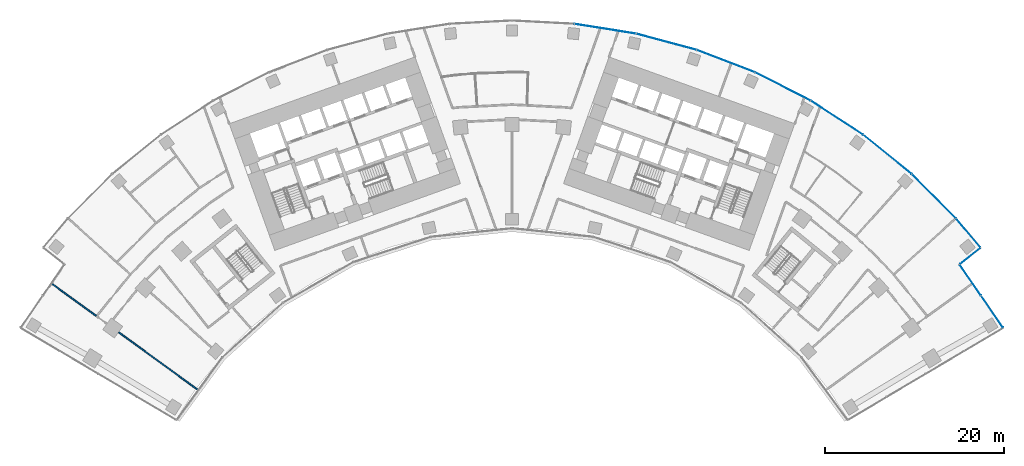
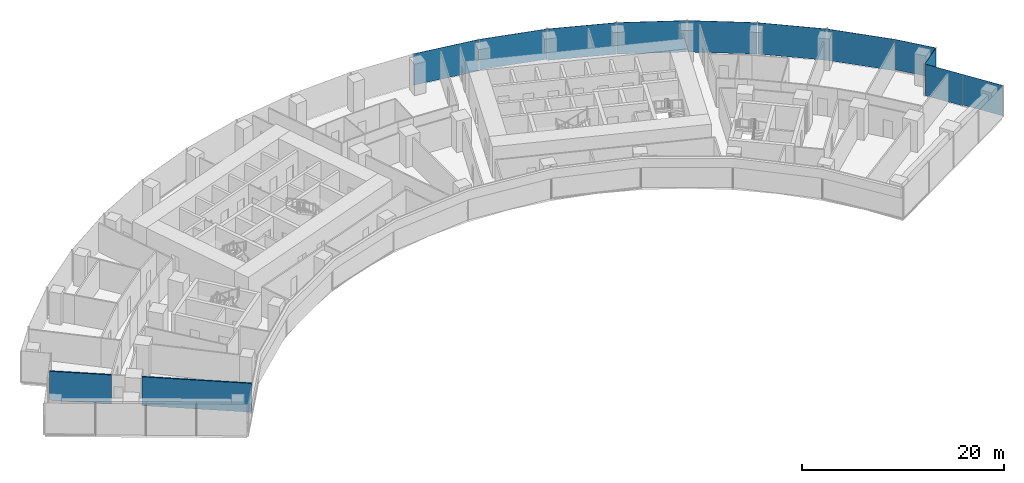
# One storey, part 13 of 21: 11 plates, 2 walls, 3 elements without a shape of their own.
"""IFC4 building model written with IfcOpenShell, lengths in metres."""

from ifc_helpers import new_model, si_unit, direction, frame, frame_2d, origin, origin_2d, place, context, subcontext, project, spatial, rectangle, extrude, material, layer, layer_set, type_object, element, aggregate, save


model = new_model("IFC4")

# Units and contexts
model_context = context("Model", 3, precision=1e-05, world=origin(), true_north=direction((0.0, 1.0)))
body_context = subcontext(model_context, "Body", "Model", "MODEL_VIEW")
ifc_project = project(units=[si_unit("LENGTHUNIT", "METRE"), si_unit("AREAUNIT", "SQUARE_METRE"), si_unit("VOLUMEUNIT", "CUBIC_METRE"), si_unit("PLANEANGLEUNIT", "RADIAN"), si_unit("MASSUNIT", "GRAM", prefix="KILO")], contexts=[model_context])

# Site, building, storey
site_placement = place(None, origin())
site = spatial("IfcSite", under=ifc_project, at=site_placement, CompositionType="ELEMENT")
building_placement = place(site_placement, origin())
building = spatial("IfcBuilding", under=site, at=building_placement, Name="Stone Belt Terrace Tower", CompositionType="ELEMENT")
storey_placement = place(building_placement, frame((0.0, 0.0, 33.800048828125)))
storey = spatial("IfcBuildingStorey", under=building, at=storey_placement, Name="L07", CompositionType="ELEMENT", Elevation=33.800048828125)

# Curtain wall, plates
ifc_material_1 = material(Name="Aluminium 6063-T6 anodised frame", Category="aluminium")
ifc_layer_1 = layer(ifc_material_1, 0.14990234375)
ifc_layer_set_1 = layer_set([ifc_layer_1], Name="CW-A unitised convex-face curtain wall")
curtain_wall_type_1 = type_object("IfcCurtainWallType", Name="CW-A unitised convex-face curtain wall", PredefinedType="NOTDEFINED", material=ifc_layer_set_1)
curtain_wall_1_placement = place(storey_placement, origin())
curtain_wall_1 = element("IfcCurtainWall", 1, at=curtain_wall_1_placement, inside=storey, type_object=curtain_wall_type_1, Name="CW-A convex face L07", PredefinedType="NOTDEFINED")
ifc_material_2 = material(Name="Clear double glazed unit")
ifc_layer_2 = layer(ifc_material_2, 0.031982421875)
ifc_layer_set_2 = layer_set([ifc_layer_2], Name="CW-A glass panel 32")
plate_type_1 = type_object("IfcPlateType", Name="CW-A glass panel 32", PredefinedType="CURTAIN_PANEL", material=ifc_layer_set_2)
plate_1_placement = place(storey_placement, frame((50.84423828125, 42.92626953125, 0.14013671875), z_axis=(0.0, 0.0, 1.0), x_axis=(-0.645291395384, 0.763936525533, 0.0)))
plate_1 = element("IfcPlate", 2, at=plate_1_placement, type_object=plate_type_1, Name="CW-A panel 1.1", PredefinedType="CURTAIN_PANEL", context=body_context, shape_type="SweptSolid", body=[
    extrude(rectangle(XDim=4.17919921875, YDim=0.031982421875, at=origin_2d()), origin(), (0.0, 0.0, 1.0), 3.659912109375),
])
plate_2_placement = place(storey_placement, frame((47.01123046875, 47.01123046875, 0.0), z_axis=(0.0, 0.0, 1.0), x_axis=(-0.707106781187, 0.707106781187, 0.0)))
plate_2 = element("IfcPlate", 3, at=plate_2_placement, type_object=plate_type_1, Name="CW-A panel 2.1", PredefinedType="CURTAIN_PANEL", context=body_context, shape_type="SweptSolid", body=[
    extrude(rectangle(XDim=6.90087890625, YDim=0.031982421875, at=origin_2d()), origin(), (0.0, 0.0, 1.0), 3.800048828125),
])
plate_3_placement = place(storey_placement, frame((41.839599609375, 51.667724609375, 0.0), z_axis=(0.0, 0.0, 1.0), x_axis=(-0.777145961457, 0.62932039105, 0.0)))
plate_3 = element("IfcPlate", 4, at=plate_3_placement, type_object=plate_type_1, Name="CW-A panel 3.1", PredefinedType="CURTAIN_PANEL", context=body_context, shape_type="SweptSolid", body=[
    extrude(rectangle(XDim=6.90087890625, YDim=0.031982421875, at=origin_2d()), origin(), (0.0, 0.0, 1.0), 3.800048828125),
])
plate_4_placement = place(storey_placement, frame((36.209716796875, 55.758056640625, 0.0), z_axis=(0.0, 0.0, 1.0), x_axis=(-0.838670567945, 0.544639035015, 0.0)))
plate_4 = element("IfcPlate", 5, at=plate_4_placement, type_object=plate_type_1, Name="CW-A panel 4.1", PredefinedType="CURTAIN_PANEL", context=body_context, shape_type="SweptSolid", body=[
    extrude(rectangle(XDim=6.90087890625, YDim=0.031982421875, at=origin_2d()), origin(), (0.0, 0.0, 1.0), 3.800048828125),
])
plate_5_placement = place(storey_placement, frame((30.18310546875, 59.237548828125, 0.0), z_axis=(0.0, 0.0, 1.0), x_axis=(-0.891006524188, 0.45399049974, 0.0)))
plate_5 = element("IfcPlate", 6, at=plate_5_placement, type_object=plate_type_1, Name="CW-A panel 5.1", PredefinedType="CURTAIN_PANEL", context=body_context, shape_type="SweptSolid", body=[
    extrude(rectangle(XDim=6.90087890625, YDim=0.031982421875, at=origin_2d()), origin(), (0.0, 0.0, 1.0), 3.800048828125),
])
plate_6_placement = place(storey_placement, frame((23.82568359375, 62.068115234375, 0.0), z_axis=(0.0, 0.0, 1.0), x_axis=(-0.933580426497, 0.358367949545, 0.0)))
plate_6 = element("IfcPlate", 7, at=plate_6_placement, type_object=plate_type_1, Name="CW-A panel 6.1", PredefinedType="CURTAIN_PANEL", context=body_context, shape_type="SweptSolid", body=[
    extrude(rectangle(XDim=6.90087890625, YDim=0.031982421875, at=origin_2d()), origin(), (0.0, 0.0, 1.0), 3.800048828125),
])
plate_7_placement = place(storey_placement, frame((17.207275390625, 64.218505859375, 0.14013671875), z_axis=(0.0, 0.0, 1.0), x_axis=(-0.965925826289, 0.258819045103, 0.0)))
plate_7 = element("IfcPlate", 8, at=plate_7_placement, type_object=plate_type_1, Name="CW-A panel 7.1", PredefinedType="CURTAIN_PANEL", context=body_context, shape_type="SweptSolid", body=[
    extrude(rectangle(XDim=6.90087890625, YDim=0.031982421875, at=origin_2d()), origin(), (0.0, 0.0, 1.0), 3.659912109375),
])
plate_8_placement = place(storey_placement, frame((10.400390625, 65.665283203125, 0.0), z_axis=(0.0, 0.0, 1.0), x_axis=(-0.987688340595, 0.15643446504, 0.0)))
plate_8 = element("IfcPlate", 9, at=plate_8_placement, type_object=plate_type_1, Name="CW-A panel 8.1", PredefinedType="CURTAIN_PANEL", context=body_context, shape_type="SweptSolid", body=[
    extrude(rectangle(XDim=6.90087890625, YDim=0.031982421875, at=origin_2d()), origin(), (0.0, 0.0, 1.0), 3.800048828125),
])
aggregate(curtain_wall_1, [plate_1, plate_2, plate_3, plate_4, plate_5, plate_6, plate_7, plate_8])

ifc_layer_3 = layer(ifc_material_1, 0.14990234375)
ifc_layer_set_3 = layer_set([ifc_layer_3], Name="CW-C stick curtain wall, horn ends and notches")
curtain_wall_type_2 = type_object("IfcCurtainWallType", Name="CW-C stick curtain wall, horn ends and notches", PredefinedType="NOTDEFINED", material=ifc_layer_set_3)
curtain_wall_2_placement = place(storey_placement, origin())
curtain_wall_2 = element("IfcCurtainWall", 10, at=curtain_wall_2_placement, inside=storey, type_object=curtain_wall_type_2, Name="CW-C notch face L07", PredefinedType="NOTDEFINED")
ifc_layer_4 = layer(ifc_material_2, 0.028076171875)
ifc_layer_set_4 = layer_set([ifc_layer_4], Name="CW-C glass panel 28")
plate_type_2 = type_object("IfcPlateType", Name="CW-C glass panel 28", PredefinedType="CURTAIN_PANEL", material=ifc_layer_set_4)
plate_9_placement = place(storey_placement, frame((53.501220703125, 34.141357421875, 0.1201171875), z_axis=(0.0, 0.0, 1.0), x_axis=(-0.566375967567, 0.824146991357, 0.0)))
plate_9 = element("IfcPlate", 11, at=plate_9_placement, type_object=plate_type_2, Name="CW-C panel 1.1", PredefinedType="CURTAIN_PANEL", context=body_context, shape_type="SweptSolid", body=[
    extrude(rectangle(XDim=4.268798828125, YDim=0.028076171875, at=origin_2d()), origin(), (0.0, 0.0, 1.0), 3.679931640625),
])
plate_10_placement = place(storey_placement, frame((51.091552734375, 37.647705078125, 0.0), z_axis=(0.0, 0.0, 1.0), x_axis=(-0.566375967567, 0.824146991357, 0.0)))
plate_10 = element("IfcPlate", 12, at=plate_10_placement, type_object=plate_type_2, Name="CW-C panel 2.1", PredefinedType="CURTAIN_PANEL", context=body_context, shape_type="SweptSolid", body=[
    extrude(rectangle(XDim=4.12060546875, YDim=0.028076171875, at=origin_2d()), origin(), (0.0, 0.0, 1.0), 3.800048828125),
])
aggregate(curtain_wall_2, [plate_9, plate_10])

# Curtain wall, plate
curtain_wall_3_placement = place(storey_placement, origin())
curtain_wall_3 = element("IfcCurtainWall", 13, at=curtain_wall_3_placement, inside=storey, type_object=curtain_wall_type_2, Name="CW-C notch face L07", PredefinedType="NOTDEFINED")
plate_11_placement = place(storey_placement, frame((51.061279296875, 40.3388671875, 0.1201171875), z_axis=(0.0, 0.0, 1.0), x_axis=(0.783963828584, 0.620806504051, 0.0)))
plate_11 = element("IfcPlate", 14, at=plate_11_placement, type_object=plate_type_2, Name="CW-C panel 1.1", PredefinedType="CURTAIN_PANEL", context=body_context, shape_type="SweptSolid", body=[
    extrude(rectangle(XDim=2.859375, YDim=0.028076171875, at=origin_2d()), origin(), (0.0, 0.0, 1.0), 3.679931640625),
])
aggregate(curtain_wall_3, [plate_11])

# Walls
ifc_material_3 = material(Name="Gypsum board partition")
ifc_layer_5 = layer(ifc_material_3, 0.14990234375)
ifc_layer_set_5 = layer_set([ifc_layer_5], Name="PARTITION 150 EI 60")
wall_type = type_object("IfcWallType", Name="PARTITION 150 EI 60", PredefinedType="PARTITIONING", material=ifc_layer_set_5)
wall_1_placement = place(storey_placement, frame((-43.82470703125, 31.83984375, 0.0), z_axis=(0.0, 0.0, 1.0), x_axis=(0.80903281135, -0.587763481478, 0.0)))
element("IfcWall", 15, at=wall_1_placement, inside=storey, type_object=wall_type, Name="L07/wall/i032", PredefinedType="PARTITIONING", context=body_context, shape_type="SweptSolid", body=[
    extrude(rectangle(XDim=10.883544921875, YDim=0.14990234375, at=frame_2d((5.44189453125, 0.0))), origin(), (0.0, 0.0, 1.0), 3.47998046875),
])
wall_2_placement = place(storey_placement, frame((-51.27294921875, 37.251708984375, 0.0), z_axis=(0.0, 0.0, 1.0), x_axis=(0.809013729568, -0.587789745887, 0.0)))
element("IfcWall", 16, at=wall_2_placement, inside=storey, type_object=wall_type, Name="L07/wall/i033", PredefinedType="PARTITIONING", context=body_context, shape_type="SweptSolid", body=[
    extrude(rectangle(XDim=6.157958984375, YDim=0.14990234375, at=frame_2d((3.0791015625, 0.0))), origin(), (0.0, 0.0, 1.0), 3.47998046875),
])

save(model, "model.ifc")
